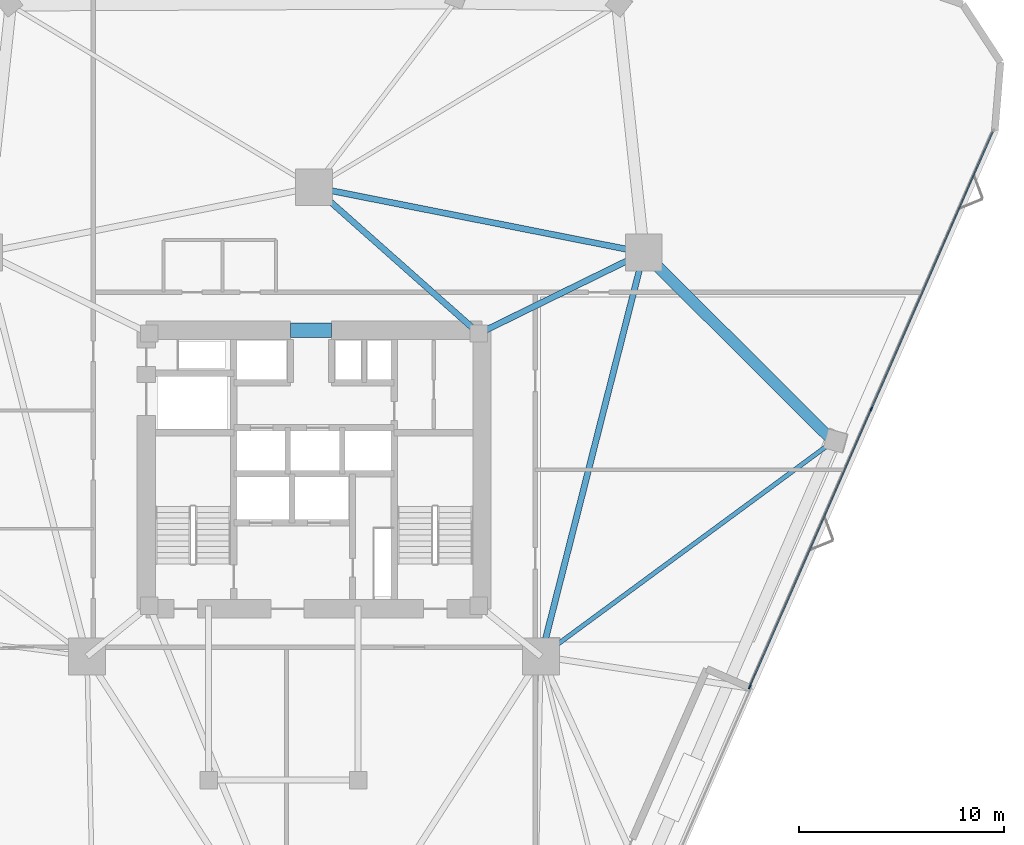
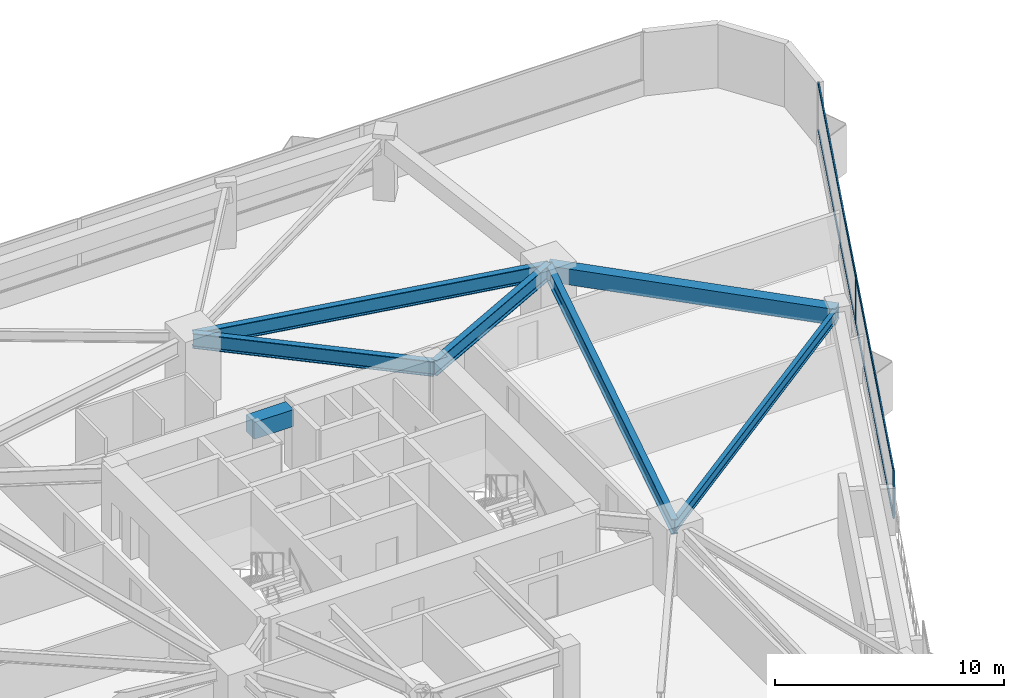
# One storey, part 6 of 16: 7 beams, 6 members, 1 element without a shape of its own.
"""IFC4 building model written with IfcOpenShell, lengths in metres."""

from ifc_helpers import new_model, si_unit, direction, frame, origin, origin_2d, place, context, subcontext, project, spatial, rectangle, i_section, extrude, material, layer, layer_set, material_profile, profile_set, type_object, element, aggregate, save


model = new_model("IFC4")

# Units and contexts
model_context = context("Model", 3, precision=1e-05, world=origin(), true_north=direction((0.0, 1.0)))
body_context = subcontext(model_context, "Body", "Model", "MODEL_VIEW")
ifc_project = project(units=[si_unit("LENGTHUNIT", "METRE"), si_unit("AREAUNIT", "SQUARE_METRE"), si_unit("VOLUMEUNIT", "CUBIC_METRE"), si_unit("PLANEANGLEUNIT", "RADIAN"), si_unit("MASSUNIT", "GRAM", prefix="KILO")], contexts=[model_context])

# Site, building, storey
site_placement = place(None, origin())
site = spatial("IfcSite", under=ifc_project, at=site_placement, CompositionType="ELEMENT")
building_placement = place(site_placement, origin())
building = spatial("IfcBuilding", under=site, at=building_placement, Name="Talyreon Biosciences Tower", CompositionType="ELEMENT")
storey_placement = place(building_placement, frame((0.0, 0.0, 44.699951171875)))
storey = spatial("IfcBuildingStorey", under=building, at=storey_placement, Name="L11", CompositionType="ELEMENT", Elevation=44.699951171875)

# Curtain wall, members
ifc_material_1 = material(Name="Thermally broken aluminium and low-E glazing", Category="aluminium")
ifc_layer = layer(ifc_material_1, 0.205078125)
ifc_layer_set = layer_set([ifc_layer], Name="Thermally broken aluminium and low-E glazing")
curtain_wall_type = type_object("IfcCurtainWallType", Name="CurtainWall_SkyGardenLoggia", PredefinedType="NOTDEFINED", material=ifc_layer_set)
curtain_wall_placement = place(storey_placement, origin())
curtain_wall = element("IfcCurtainWall", 1, at=curtain_wall_placement, inside=storey, type_object=curtain_wall_type, Name="L11 Unitised Curtain Wall FCW-L11-07", PredefinedType="NOTDEFINED")
ifc_material_2 = material(Name="Anodised thermally broken aluminium", Category="aluminium")
ifc_material_profile_1 = material_profile(ifc_material_2, rectangle(XDim=0.074951171875, YDim=0.2099609375, at=origin_2d()), Name="ALUM MULLION 75x210")
ifc_profile_set_1 = profile_set([ifc_material_profile_1], Name="Anodised thermally broken aluminium")
member_type_1 = type_object("IfcMemberType", Name="CWMullion_75x210", PredefinedType="MULLION", material=ifc_profile_set_1)
member_1_placement = place(storey_placement, frame((93.2138671875, 70.96240234375, 0.81005859375), z_axis=(0.0, 0.0, 1.0), x_axis=(0.91603505667, -0.401098211105, 0.0)))
member_1 = element("IfcMember", 2, at=member_1_placement, type_object=member_type_1, Name="CW7 mullion 2", PredefinedType="MULLION", context=body_context, shape_type="SweptSolid", body=[
    extrude(rectangle(XDim=0.074951171875, YDim=0.2099609375, at=origin_2d()), origin(), (0.0, 0.0, 1.0), 2.56494140625),
])
member_2_placement = place(storey_placement, frame((87.271728515625, 57.39208984375, 0.81005859375), z_axis=(0.0, 0.0, 1.0), x_axis=(0.91603505667, -0.401098211105, 0.0)))
member_2 = element("IfcMember", 3, at=member_2_placement, type_object=member_type_1, Name="CW7 mullion 3", PredefinedType="MULLION", context=body_context, shape_type="SweptSolid", body=[
    extrude(rectangle(XDim=0.074951171875, YDim=0.2099609375, at=origin_2d()), origin(), (0.0, 0.0, 1.0), 2.56494140625),
])
ifc_material_profile_2 = material_profile(ifc_material_2, rectangle(XDim=0.06494140625, YDim=0.139892578125, at=origin_2d()), Name="ALUM TRANSOM 65x140")
ifc_profile_set_2 = profile_set([ifc_material_profile_2], Name="Anodised thermally broken aluminium")
member_type_2 = type_object("IfcMemberType", Name="CWTransom_65x140", PredefinedType="USERDEFINED", material=ifc_profile_set_2)
member_3_placement = place(storey_placement, frame((99.140625, 84.498291015625, 0.842529296875), z_axis=(-0.401102089825, -0.916033358311, 0.0), x_axis=(0.916033358311, -0.401102089825, 0.0)))
member_3 = element("IfcMember", 4, at=member_3_placement, type_object=member_type_2, Name="CW7 transom 1.1", ObjectType="TRANSOM", PredefinedType="USERDEFINED", context=body_context, shape_type="SweptSolid", body=[
    extrude(rectangle(XDim=0.06494140625, YDim=0.139892578125, at=origin_2d()), origin(), (0.0, 0.0, 1.0), 14.739013671875),
])
member_4_placement = place(storey_placement, frame((99.140625, 84.498291015625, 3.342529296875), z_axis=(-0.401102089825, -0.916033358311, 0.0), x_axis=(0.916033358311, -0.401102089825, 0.0)))
member_4 = element("IfcMember", 5, at=member_4_placement, type_object=member_type_2, Name="CW7 transom 1.2", ObjectType="TRANSOM", PredefinedType="USERDEFINED", context=body_context, shape_type="SweptSolid", body=[
    extrude(rectangle(XDim=0.06494140625, YDim=0.139892578125, at=origin_2d()), origin(), (0.0, 0.0, 1.0), 14.739013671875),
])
member_5_placement = place(storey_placement, frame((93.19873046875, 70.927978515625, 0.842529296875), z_axis=(-0.401102089825, -0.916033358311, 0.0), x_axis=(0.916033358311, -0.401102089825, 0.0)))
member_5 = element("IfcMember", 6, at=member_5_placement, type_object=member_type_2, Name="CW7 transom 2.1", ObjectType="TRANSOM", PredefinedType="USERDEFINED", context=body_context, shape_type="SweptSolid", body=[
    extrude(rectangle(XDim=0.06494140625, YDim=0.139892578125, at=origin_2d()), origin(), (0.0, 0.0, 1.0), 14.739013671875),
])
member_6_placement = place(storey_placement, frame((93.19873046875, 70.927978515625, 3.342529296875), z_axis=(-0.401102089825, -0.916033358311, 0.0), x_axis=(0.916033358311, -0.401102089825, 0.0)))
member_6 = element("IfcMember", 7, at=member_6_placement, type_object=member_type_2, Name="CW7 transom 2.2", ObjectType="TRANSOM", PredefinedType="USERDEFINED", context=body_context, shape_type="SweptSolid", body=[
    extrude(rectangle(XDim=0.06494140625, YDim=0.139892578125, at=origin_2d()), origin(), (0.0, 0.0, 1.0), 14.739013671875),
])
aggregate(curtain_wall, [member_1, member_2, member_3, member_4, member_5, member_6])

# Beams
ifc_material_3 = material(Name="Concrete C60/75", Category="concrete")
ifc_material_profile_3 = material_profile(ifc_material_3, rectangle(XDim=0.699951171875, YDim=0.89990234375, at=origin_2d()), Name="RCB 700x900")
ifc_profile_set_3 = profile_set([ifc_material_profile_3], Name="Concrete C60/75")
beam_type_1 = type_object("IfcBeamType", Name="CoreCouplingLintel_700x900", PredefinedType="LINTEL", material=ifc_profile_set_3)
beam_1_placement = place(storey_placement, frame((64.85009765625, 74.800048828125, 2.925048828125), z_axis=(1.0, 0.0, 0.0), x_axis=(0.0, 1.0, 0.0)))
element("IfcBeam", 8, at=beam_1_placement, inside=storey, type_object=beam_type_1, Name="L11 Core Coupling Lintel", PredefinedType="LINTEL", context=body_context, shape_type="SweptSolid", body=[
    extrude(rectangle(XDim=0.699951171875, YDim=0.89990234375, at=origin_2d()), origin(), (0.0, 0.0, 1.0), 2.0),
])
ifc_material_4 = material(Name="Precast concrete C45/55", Category="concrete")
ifc_material_profile_4 = material_profile(ifc_material_4, rectangle(XDim=0.550048828125, YDim=0.85009765625, at=origin_2d()), Name="RCB 550x850")
ifc_profile_set_4 = profile_set([ifc_material_profile_4], Name="Precast concrete C45/55")
beam_type_2 = type_object("IfcBeamType", Name="ExpressedSpandrel_550x850", PredefinedType="SPANDREL", material=ifc_profile_set_4)
beam_2_placement = place(storey_placement, frame((91.35546875, 69.385498046875, 2.949951171875), z_axis=(-0.708638280175, 0.705571957968, 0.0), x_axis=(-0.705571957968, -0.708638280175, 0.0)))
element("IfcBeam", 9, at=beam_2_placement, inside=storey, type_object=beam_type_2, Name="L11 Expressed Horizontal Concrete Spandrel 04", PredefinedType="SPANDREL", context=body_context, shape_type="SweptSolid", body=[
    extrude(rectangle(XDim=0.550048828125, YDim=0.85009765625, at=origin_2d()), origin(), (0.0, 0.0, 1.0), 13.0576171875),
])
ifc_material_5 = material(Name="Steel SM355", Category="steel")
ifc_material_profile_5 = material_profile(ifc_material_5, i_section(OverallWidth=0.300048828125, OverallDepth=0.800048828125, WebThickness=0.017578125, FlangeThickness=0.032958984375, FilletRadius=0.030029296875, at=origin_2d()), Name="HE800B")
ifc_profile_set_5 = profile_set([ifc_material_profile_5], Name="Steel SM355")
beam_type_3 = type_object("IfcBeamType", Name="SteelGirder_HE800B", PredefinedType="BEAM", material=ifc_profile_set_5)
beam_3_placement = place(storey_placement, frame((77.086181640625, 58.88037109375, 2.97509765625), z_axis=(0.246537082299, 0.969133358755, 0.0), x_axis=(-0.969133358755, 0.246537082299, 0.0)))
element("IfcBeam", 10, at=beam_3_placement, inside=storey, type_object=beam_type_3, Name="L11 Mega-Ring Girder 2", PredefinedType="BEAM", context=body_context, shape_type="SweptSolid", body=[
    extrude(i_section(OverallWidth=0.300048828125, OverallDepth=0.800048828125, WebThickness=0.017578125, FlangeThickness=0.032958984375, FilletRadius=0.030029296875, at=origin_2d()), origin(), (0.0, 0.0, 1.0), 20.34619140625),
])
beam_4_placement = place(storey_placement, frame((82.102294921875, 78.5986328125, 2.97509765625), z_axis=(-0.980933730698, 0.194342522311, 0.0), x_axis=(-0.194342522311, -0.980933730698, 0.0)))
element("IfcBeam", 11, at=beam_4_placement, inside=storey, type_object=beam_type_3, Name="L11 Mega-Ring Girder 3", PredefinedType="BEAM", context=body_context, shape_type="SweptSolid", body=[
    extrude(i_section(OverallWidth=0.300048828125, OverallDepth=0.800048828125, WebThickness=0.017578125, FlangeThickness=0.032958984375, FilletRadius=0.030029296875, at=origin_2d()), origin(), (0.0, 0.0, 1.0), 16.415283203125),
])
beam_5_placement = place(storey_placement, frame((74.050048828125, 74.64990234375, 2.97509765625), z_axis=(0.897852360314, 0.440296648952, 0.0), x_axis=(-0.440296648952, 0.897852360314, 0.0)))
element("IfcBeam", 12, at=beam_5_placement, inside=storey, type_object=beam_type_3, Name="L11 Radial Primary Girder 3", PredefinedType="BEAM", context=body_context, shape_type="SweptSolid", body=[
    extrude(i_section(OverallWidth=0.300048828125, OverallDepth=0.800048828125, WebThickness=0.017578125, FlangeThickness=0.032958984375, FilletRadius=0.030029296875, at=origin_2d()), origin(), (0.0, 0.0, 1.0), 8.96826171875),
])
beam_6_placement = place(storey_placement, frame((74.050048828125, 74.64990234375, 2.97509765625), z_axis=(-0.748178733955, 0.663497235908, 0.0), x_axis=(-0.663497235908, -0.748178733955, 0.0)))
element("IfcBeam", 13, at=beam_6_placement, inside=storey, type_object=beam_type_3, Name="L11 Radial Primary Girder 4", PredefinedType="BEAM", context=body_context, shape_type="SweptSolid", body=[
    extrude(i_section(OverallWidth=0.300048828125, OverallDepth=0.800048828125, WebThickness=0.017578125, FlangeThickness=0.032958984375, FilletRadius=0.030029296875, at=origin_2d()), origin(), (0.0, 0.0, 1.0), 10.759521484375),
])
ifc_material_profile_6 = material_profile(ifc_material_5, i_section(OverallWidth=0.219970703125, OverallDepth=0.60009765625, WebThickness=0.011962890625, FlangeThickness=0.01904296875, FilletRadius=0.02392578125, at=origin_2d()), Name="IPE600")
ifc_profile_set_6 = profile_set([ifc_material_profile_6], Name="Steel SM355")
beam_type_4 = type_object("IfcBeamType", Name="SteelJoist_IPE600", PredefinedType="JOIST", material=ifc_profile_set_6)
beam_7_placement = place(storey_placement, frame((77.086181640625, 58.88037109375, 3.074951171875), z_axis=(0.805300611984, 0.592866700311, 0.0), x_axis=(-0.592866700311, 0.805300611984, 0.0)))
element("IfcBeam", 14, at=beam_7_placement, inside=storey, type_object=beam_type_4, Name="L11 Radial Composite Floor Joist PC-SE2", PredefinedType="JOIST", context=body_context, shape_type="SweptSolid", body=[
    extrude(i_section(OverallWidth=0.219970703125, OverallDepth=0.60009765625, WebThickness=0.011962890625, FlangeThickness=0.01904296875, FilletRadius=0.02392578125, at=origin_2d()), origin(), (0.0, 0.0, 1.0), 17.71923828125),
])

save(model, "model.ifc")
